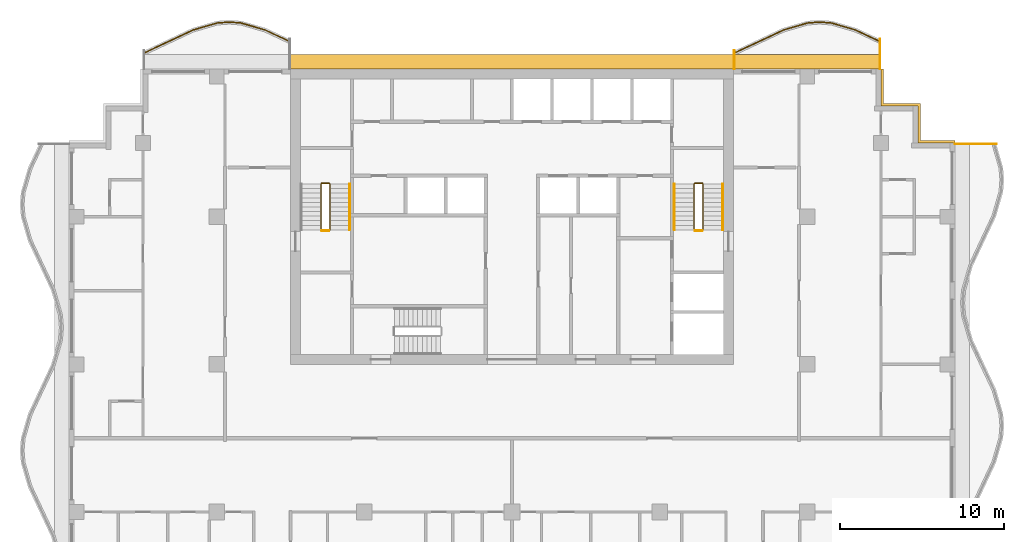
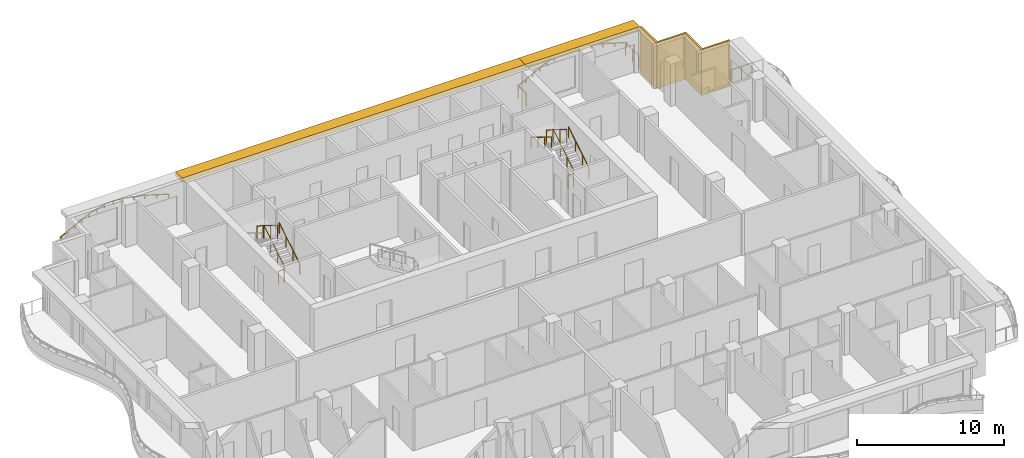
# One storey, part 11 of 11: 12 railings, 3 shading devices.
"""IFC4 building model written with IfcOpenShell, lengths in metres."""

from ifc_helpers import new_model, si_unit, direction, frame, origin, origin_2d, place, context, subcontext, project, spatial, polyline, rectangle, circle, outline, extrude, material, layer, layer_set, type_object, element, save


model = new_model("IFC4")

# Units and contexts
model_context = context("Model", 3, precision=1e-05, world=origin(), true_north=direction((0.0, 1.0)))
body_context = subcontext(model_context, "Body", "Model", "MODEL_VIEW")
ifc_project = project(units=[si_unit("LENGTHUNIT", "METRE"), si_unit("AREAUNIT", "SQUARE_METRE"), si_unit("VOLUMEUNIT", "CUBIC_METRE"), si_unit("PLANEANGLEUNIT", "RADIAN"), si_unit("MASSUNIT", "GRAM", prefix="KILO")], contexts=[model_context])

# Site, building, storey
site_placement = place(None, origin())
site = spatial("IfcSite", under=ifc_project, at=site_placement, CompositionType="ELEMENT")
building_placement = place(site_placement, origin())
building = spatial("IfcBuilding", under=site, at=building_placement, Name="Orbiselva Terraces", CompositionType="ELEMENT")
storey_placement = place(building_placement, frame((0.0, 0.0, 273.0)))
storey = spatial("IfcBuildingStorey", under=building, at=storey_placement, Name="L69", CompositionType="ELEMENT", Elevation=273.0)

# Railings
ifc_material_1 = material(Name="Stainless steel", Category="steel")
railing_type_1 = type_object("IfcRailingType", Name="CORE-GUARD-1100", PredefinedType="GUARDRAIL", material=ifc_material_1)
railing_1_placement = place(storey_placement, frame((-11.1, 12.7, 0.172727)))
element("IfcRailing", 1, at=railing_1_placement, inside=storey, type_object=railing_type_1, Name="L69 S1 stair guard 1", PredefinedType="GUARDRAIL", context=body_context, shape_type="SweptSolid", body=[
    extrude(circle(Radius=0.024, at=origin_2d()), frame((0.0, 0.0, 1.081), z_axis=(0.0, 0.851088519012, 0.52502222125), x_axis=(-1.0, 0.0, 0.0)), (0.0, 0.0, 1.0), 3.289905),
    extrude(circle(Radius=0.024, at=origin_2d()), frame((0.0, 2.8, 2.808273), z_axis=(-0.707106781187, 0.707106781187, 0.0), x_axis=(-0.707106781187, -0.707106781187, 0.0)), (0.0, 0.0, 1.0), 0.070711),
    extrude(circle(Radius=0.024, at=origin_2d()), frame((-0.05, 2.85, 2.808273), z_axis=(-1.0, 0.0, 0.0), x_axis=(0.0, -1.0, 0.0)), (0.0, 0.0, 1.0), 0.45),
    extrude(circle(Radius=0.024, at=origin_2d()), frame((-0.5, 2.85, 2.808273), z_axis=(-0.267894925557, -0.267894925557, 0.925453736133), x_axis=(0.707106781187, -0.707106781187, 0.0)), (0.0, 0.0, 1.0), 0.18664),
    extrude(circle(Radius=0.024, at=origin_2d()), frame((-0.55, 2.8, 2.981), z_axis=(0.0, -0.851088519012, 0.52502222125), x_axis=(1.0, 0.0, 0.0)), (0.0, 0.0, 1.0), 3.289905),
    extrude(circle(Radius=0.021, at=origin_2d()), origin(), (0.0, 0.0, 1.0), 1.057),
    extrude(circle(Radius=0.021, at=origin_2d()), frame((0.0, 0.933333, 0.575758)), (0.0, 0.0, 1.0), 1.057),
    extrude(circle(Radius=0.021, at=origin_2d()), frame((0.0, 1.866667, 1.151515)), (0.0, 0.0, 1.0), 1.057),
    extrude(circle(Radius=0.021, at=origin_2d()), frame((0.0, 2.8, 1.727273)), (0.0, 0.0, 1.0), 1.057),
    extrude(circle(Radius=0.021, at=origin_2d()), frame((-0.05, 2.85, 1.727273)), (0.0, 0.0, 1.0), 1.057),
    extrude(circle(Radius=0.021, at=origin_2d()), frame((-0.5, 2.85, 1.727273)), (0.0, 0.0, 1.0), 1.057),
    extrude(circle(Radius=0.021, at=origin_2d()), frame((-0.55, 2.8, 1.9)), (0.0, 0.0, 1.0), 1.057),
    extrude(circle(Radius=0.021, at=origin_2d()), frame((-0.55, 1.866667, 2.475758)), (0.0, 0.0, 1.0), 1.057),
    extrude(circle(Radius=0.021, at=origin_2d()), frame((-0.55, 0.933333, 3.051515)), (0.0, 0.0, 1.0), 1.057),
    extrude(circle(Radius=0.021, at=origin_2d()), frame((-0.55, 0.0, 3.627273)), (0.0, 0.0, 1.0), 1.057),
])
railing_2_placement = place(storey_placement, frame((-11.15, 12.65, 0.0)))
element("IfcRailing", 2, at=railing_2_placement, inside=storey, type_object=railing_type_1, Name="L69 S1 stair guard 2", PredefinedType="GUARDRAIL", context=body_context, shape_type="SweptSolid", body=[
    extrude(circle(Radius=0.024, at=origin_2d()), frame((0.0, 0.0, 1.081), z_axis=(-1.0, 0.0, 0.0), x_axis=(0.0, -1.0, 0.0)), (0.0, 0.0, 1.0), 0.45),
    extrude(circle(Radius=0.021, at=origin_2d()), origin(), (0.0, 0.0, 1.0), 1.057),
    extrude(circle(Radius=0.021, at=origin_2d()), frame((-0.45, 0.0, 0.0)), (0.0, 0.0, 1.0), 1.057),
])
railing_3_placement = place(storey_placement, frame((11.65, 12.7, 0.172727)))
element("IfcRailing", 3, at=railing_3_placement, inside=storey, type_object=railing_type_1, Name="L69 S2 stair guard 1", PredefinedType="GUARDRAIL", context=body_context, shape_type="SweptSolid", body=[
    extrude(circle(Radius=0.024, at=origin_2d()), frame((0.0, 0.0, 1.081), z_axis=(0.0, 0.851088519012, 0.52502222125), x_axis=(-1.0, 0.0, 0.0)), (0.0, 0.0, 1.0), 3.289905),
    extrude(circle(Radius=0.024, at=origin_2d()), frame((0.0, 2.8, 2.808273), z_axis=(-0.707106781187, 0.707106781187, 0.0), x_axis=(-0.707106781187, -0.707106781187, 0.0)), (0.0, 0.0, 1.0), 0.070711),
    extrude(circle(Radius=0.024, at=origin_2d()), frame((-0.05, 2.85, 2.808273), z_axis=(-1.0, 0.0, 0.0), x_axis=(0.0, -1.0, 0.0)), (0.0, 0.0, 1.0), 0.45),
    extrude(circle(Radius=0.024, at=origin_2d()), frame((-0.5, 2.85, 2.808273), z_axis=(-0.267894925557, -0.267894925557, 0.925453736133), x_axis=(0.707106781187, -0.707106781187, 0.0)), (0.0, 0.0, 1.0), 0.18664),
    extrude(circle(Radius=0.024, at=origin_2d()), frame((-0.55, 2.8, 2.981), z_axis=(0.0, -0.851088519012, 0.52502222125), x_axis=(1.0, 0.0, 0.0)), (0.0, 0.0, 1.0), 3.289905),
    extrude(circle(Radius=0.021, at=origin_2d()), origin(), (0.0, 0.0, 1.0), 1.057),
    extrude(circle(Radius=0.021, at=origin_2d()), frame((0.0, 0.933333, 0.575758)), (0.0, 0.0, 1.0), 1.057),
    extrude(circle(Radius=0.021, at=origin_2d()), frame((0.0, 1.866667, 1.151515)), (0.0, 0.0, 1.0), 1.057),
    extrude(circle(Radius=0.021, at=origin_2d()), frame((0.0, 2.8, 1.727273)), (0.0, 0.0, 1.0), 1.057),
    extrude(circle(Radius=0.021, at=origin_2d()), frame((-0.05, 2.85, 1.727273)), (0.0, 0.0, 1.0), 1.057),
    extrude(circle(Radius=0.021, at=origin_2d()), frame((-0.5, 2.85, 1.727273)), (0.0, 0.0, 1.0), 1.057),
    extrude(circle(Radius=0.021, at=origin_2d()), frame((-0.55, 2.8, 1.9)), (0.0, 0.0, 1.0), 1.057),
    extrude(circle(Radius=0.021, at=origin_2d()), frame((-0.55, 1.866667, 2.475758)), (0.0, 0.0, 1.0), 1.057),
    extrude(circle(Radius=0.021, at=origin_2d()), frame((-0.55, 0.933333, 3.051515)), (0.0, 0.0, 1.0), 1.057),
    extrude(circle(Radius=0.021, at=origin_2d()), frame((-0.55, 0.0, 3.627273)), (0.0, 0.0, 1.0), 1.057),
])
railing_4_placement = place(storey_placement, frame((11.6, 12.65, 0.0)))
element("IfcRailing", 4, at=railing_4_placement, inside=storey, type_object=railing_type_1, Name="L69 S2 stair guard 2", PredefinedType="GUARDRAIL", context=body_context, shape_type="SweptSolid", body=[
    extrude(circle(Radius=0.024, at=origin_2d()), frame((0.0, 0.0, 1.081), z_axis=(-1.0, 0.0, 0.0), x_axis=(0.0, -1.0, 0.0)), (0.0, 0.0, 1.0), 0.45),
    extrude(circle(Radius=0.021, at=origin_2d()), origin(), (0.0, 0.0, 1.0), 1.057),
    extrude(circle(Radius=0.021, at=origin_2d()), frame((-0.45, 0.0, 0.0)), (0.0, 0.0, 1.0), 1.057),
])
railing_type_2 = type_object("IfcRailingType", Name="CORE-HANDRAIL-900", PredefinedType="HANDRAIL", material=ifc_material_1)
for number, where, name in (
    (5, (-9.9, 12.7, 0.172727), "L69 S1 stair handrail 1"),
    (6, (12.85, 12.7, 0.172727), "L69 S2 stair handrail 1"),
):
    element("IfcRailing", number, at=place(storey_placement, frame(where)), inside=storey, type_object=railing_type_2, Name=name, PredefinedType="HANDRAIL", context=body_context, shape_type="SweptSolid", body=[
        extrude(circle(Radius=0.024, at=origin_2d()), frame((0.0, 0.0, 0.876), z_axis=(0.0, 0.851088519012, 0.52502222125), x_axis=(-1.0, 0.0, 0.0)), (0.0, 0.0, 1.0), 3.289905),
        extrude(circle(Radius=0.021, at=origin_2d()), origin(), (0.0, 0.0, 1.0), 0.852),
        extrude(circle(Radius=0.021, at=origin_2d()), frame((0.0, 0.933333, 0.575758)), (0.0, 0.0, 1.0), 0.852),
        extrude(circle(Radius=0.021, at=origin_2d()), frame((0.0, 1.866667, 1.151515)), (0.0, 0.0, 1.0), 0.852),
        extrude(circle(Radius=0.021, at=origin_2d()), frame((0.0, 2.8, 1.727273)), (0.0, 0.0, 1.0), 0.852),
    ])
railing_5_placement = place(storey_placement, frame((9.9, 15.5, 2.072727)))
element("IfcRailing", 7, at=railing_5_placement, inside=storey, type_object=railing_type_2, Name="L69 S2 stair handrail 2", PredefinedType="HANDRAIL", context=body_context, shape_type="SweptSolid", body=[
    extrude(circle(Radius=0.024, at=origin_2d()), frame((0.0, 0.0, 0.876), z_axis=(0.0, -0.851088519012, 0.52502222125), x_axis=(1.0, 0.0, 0.0)), (0.0, 0.0, 1.0), 3.289905),
    extrude(circle(Radius=0.021, at=origin_2d()), origin(), (0.0, 0.0, 1.0), 0.852),
    extrude(circle(Radius=0.021, at=origin_2d()), frame((0.0, -0.933333, 0.575758)), (0.0, 0.0, 1.0), 0.852),
    extrude(circle(Radius=0.021, at=origin_2d()), frame((0.0, -1.866667, 1.151515)), (0.0, 0.0, 1.0), 0.852),
    extrude(circle(Radius=0.021, at=origin_2d()), frame((0.0, -2.8, 1.727273)), (0.0, 0.0, 1.0), 0.852),
])
ifc_material_2 = material(Name="Bonded two-ply safety glass balustrade, stainless steel posts", Category="steel")
railing_type_3 = type_object("IfcRailingType", Name="ENV-BALUSTRADE-1200", PredefinedType="BALUSTRADE", material=ifc_material_2)
railing_6_placement = place(storey_placement, frame((22.446809, 24.186882, 0.9)))
element("IfcRailing", 8, at=railing_6_placement, inside=storey, type_object=railing_type_3, Name="Balcony balustrade L69 NE", PredefinedType="BALUSTRADE", context=body_context, shape_type="SweptSolid", body=[
    extrude(outline(polyline([(0.028868, 0.0), (0.014434, 0.025), (-0.014434, 0.025), (-0.028868, 0.0), (-0.014434, -0.025), (0.014434, -0.025), (0.028868, 0.0)])), frame((0.0, 0.0, 0.275), z_axis=(-0.904944359461, 0.425529912322, 0.0), x_axis=(-0.425529912322, -0.904944359461, 0.0)), (0.0, 0.0, 1.0), 1.647746),
    extrude(outline(polyline([(0.028868, 0.0), (0.014434, 0.025), (-0.014434, 0.025), (-0.028868, 0.0), (-0.014434, -0.025), (0.014434, -0.025), (0.028868, 0.0)])), frame((-1.491118, 0.701165, 0.275), z_axis=(-0.960270317007, 0.279071528957, 0.0), x_axis=(-0.279071528957, -0.960270317007, 0.0)), (0.0, 0.0, 1.0), 1.539408),
    extrude(outline(polyline([(0.028868, 0.0), (0.014434, 0.025), (-0.014434, 0.025), (-0.028868, 0.0), (-0.014434, -0.025), (0.014434, -0.025), (0.028868, 0.0)])), frame((-2.969366, 1.13077, 0.275), z_axis=(-0.996947916106, 0.078069536776, 0.0), x_axis=(-0.078069536776, -0.996947916106, 0.0)), (0.0, 0.0, 1.0), 0.72967),
    extrude(outline(polyline([(0.028868, 0.0), (0.014434, 0.025), (-0.014434, 0.025), (-0.028868, 0.0), (-0.014434, -0.025), (0.014434, -0.025), (0.028868, 0.0)])), frame((-3.696809, 1.187735, 0.275), z_axis=(-0.996947916106, -0.078069536776, 0.0), x_axis=(0.078069536776, -0.996947916106, 0.0)), (0.0, 0.0, 1.0), 0.72967),
    extrude(outline(polyline([(0.028868, 0.0), (0.014434, 0.025), (-0.014434, 0.025), (-0.028868, 0.0), (-0.014434, -0.025), (0.014434, -0.025), (0.028868, 0.0)])), frame((-4.424252, 1.13077, 0.275), z_axis=(-0.960270317007, -0.279071528957, 0.0), x_axis=(0.279071528957, -0.960270317007, 0.0)), (0.0, 0.0, 1.0), 1.539408),
    extrude(outline(polyline([(0.028868, 0.0), (0.014434, 0.025), (-0.014434, 0.025), (-0.028868, 0.0), (-0.014434, -0.025), (0.014434, -0.025), (0.028868, 0.0)])), frame((-5.9025, 0.701165, 0.275), z_axis=(-0.904944359461, -0.425529912322, 0.0), x_axis=(0.425529912322, -0.904944359461, 0.0)), (0.0, 0.0, 1.0), 1.647746),
    extrude(outline(polyline([(0.028868, 0.0), (0.014434, 0.025), (-0.014434, 0.025), (-0.028868, 0.0), (-0.014434, -0.025), (0.014434, -0.025), (0.028868, 0.0)])), frame((-7.393618, 0.0, 0.275), z_axis=(-0.904944257823, -0.425530128467, 0.0), x_axis=(0.425530128467, -0.904944257823, 0.0)), (0.0, 0.0, 1.0), 1.657561),
    extrude(rectangle(XDim=0.05, YDim=0.05, at=origin_2d()), origin(), (0.0, 0.0, 1.0), 0.25),
    extrude(rectangle(XDim=0.05, YDim=0.05, at=origin_2d()), frame((-0.745559, 0.350582, 0.0)), (0.0, 0.0, 1.0), 0.25),
    extrude(rectangle(XDim=0.05, YDim=0.05, at=origin_2d()), frame((-1.491118, 0.701165, 0.0)), (0.0, 0.0, 1.0), 0.25),
    extrude(rectangle(XDim=0.05, YDim=0.05, at=origin_2d()), frame((-2.230242, 0.915967, 0.0)), (0.0, 0.0, 1.0), 0.25),
    extrude(rectangle(XDim=0.05, YDim=0.05, at=origin_2d()), frame((-2.969366, 1.13077, 0.0)), (0.0, 0.0, 1.0), 0.25),
    extrude(rectangle(XDim=0.05, YDim=0.05, at=origin_2d()), frame((-3.696809, 1.187735, 0.0)), (0.0, 0.0, 1.0), 0.25),
    extrude(rectangle(XDim=0.05, YDim=0.05, at=origin_2d()), frame((-4.424252, 1.13077, 0.0)), (0.0, 0.0, 1.0), 0.25),
    extrude(rectangle(XDim=0.05, YDim=0.05, at=origin_2d()), frame((-5.163376, 0.915967, 0.0)), (0.0, 0.0, 1.0), 0.25),
    extrude(rectangle(XDim=0.05, YDim=0.05, at=origin_2d()), frame((-5.9025, 0.701165, 0.0)), (0.0, 0.0, 1.0), 0.25),
    extrude(rectangle(XDim=0.05, YDim=0.05, at=origin_2d()), frame((-6.648059, 0.350582, 0.0)), (0.0, 0.0, 1.0), 0.25),
    extrude(rectangle(XDim=0.05, YDim=0.05, at=origin_2d()), frame((-7.393618, 0.0, 0.0)), (0.0, 0.0, 1.0), 0.25),
    extrude(rectangle(XDim=0.05, YDim=0.05, at=origin_2d()), frame((-8.143618, -0.352671, 0.0)), (0.0, 0.0, 1.0), 0.25),
    extrude(rectangle(XDim=0.05, YDim=0.05, at=origin_2d()), frame((-8.893618, -0.705342, 0.0)), (0.0, 0.0, 1.0), 0.25),
])
railing_7_placement = place(storey_placement, frame((-13.553191, 24.186882, 0.9)))
element("IfcRailing", 9, at=railing_7_placement, inside=storey, type_object=railing_type_3, Name="Balcony balustrade L69 NW", PredefinedType="BALUSTRADE", context=body_context, shape_type="SweptSolid", body=[
    extrude(outline(polyline([(0.028868, 0.0), (0.014434, 0.025), (-0.014434, 0.025), (-0.028868, 0.0), (-0.014434, -0.025), (0.014434, -0.025), (0.028868, 0.0)])), frame((0.0, 0.0, 0.275), z_axis=(-0.904944359461, 0.425529912322, 0.0), x_axis=(-0.425529912322, -0.904944359461, 0.0)), (0.0, 0.0, 1.0), 1.647746),
    extrude(outline(polyline([(0.028868, 0.0), (0.014434, 0.025), (-0.014434, 0.025), (-0.028868, 0.0), (-0.014434, -0.025), (0.014434, -0.025), (0.028868, 0.0)])), frame((-1.491118, 0.701165, 0.275), z_axis=(-0.960270317007, 0.279071528957, 0.0), x_axis=(-0.279071528957, -0.960270317007, 0.0)), (0.0, 0.0, 1.0), 1.539408),
    extrude(outline(polyline([(0.028868, 0.0), (0.014434, 0.025), (-0.014434, 0.025), (-0.028868, 0.0), (-0.014434, -0.025), (0.014434, -0.025), (0.028868, 0.0)])), frame((-2.969366, 1.13077, 0.275), z_axis=(-0.996947916106, 0.078069536776, 0.0), x_axis=(-0.078069536776, -0.996947916106, 0.0)), (0.0, 0.0, 1.0), 0.72967),
    extrude(outline(polyline([(0.028868, 0.0), (0.014434, 0.025), (-0.014434, 0.025), (-0.028868, 0.0), (-0.014434, -0.025), (0.014434, -0.025), (0.028868, 0.0)])), frame((-3.696809, 1.187735, 0.275), z_axis=(-0.996947916106, -0.078069536776, 0.0), x_axis=(0.078069536776, -0.996947916106, 0.0)), (0.0, 0.0, 1.0), 0.72967),
    extrude(outline(polyline([(0.028868, 0.0), (0.014434, 0.025), (-0.014434, 0.025), (-0.028868, 0.0), (-0.014434, -0.025), (0.014434, -0.025), (0.028868, 0.0)])), frame((-4.424252, 1.13077, 0.275), z_axis=(-0.960270317007, -0.279071528957, 0.0), x_axis=(0.279071528957, -0.960270317007, 0.0)), (0.0, 0.0, 1.0), 1.539408),
    extrude(outline(polyline([(0.028868, 0.0), (0.014434, 0.025), (-0.014434, 0.025), (-0.028868, 0.0), (-0.014434, -0.025), (0.014434, -0.025), (0.028868, 0.0)])), frame((-5.9025, 0.701165, 0.275), z_axis=(-0.904944359461, -0.425529912322, 0.0), x_axis=(0.425529912322, -0.904944359461, 0.0)), (0.0, 0.0, 1.0), 1.647746),
    extrude(outline(polyline([(0.028868, 0.0), (0.014434, 0.025), (-0.014434, 0.025), (-0.028868, 0.0), (-0.014434, -0.025), (0.014434, -0.025), (0.028868, 0.0)])), frame((-7.393618, 0.0, 0.275), z_axis=(-0.904944257823, -0.425530128467, 0.0), x_axis=(0.425530128467, -0.904944257823, 0.0)), (0.0, 0.0, 1.0), 1.657561),
    extrude(rectangle(XDim=0.05, YDim=0.05, at=origin_2d()), origin(), (0.0, 0.0, 1.0), 0.25),
    extrude(rectangle(XDim=0.05, YDim=0.05, at=origin_2d()), frame((-0.745559, 0.350582, 0.0)), (0.0, 0.0, 1.0), 0.25),
    extrude(rectangle(XDim=0.05, YDim=0.05, at=origin_2d()), frame((-1.491118, 0.701165, 0.0)), (0.0, 0.0, 1.0), 0.25),
    extrude(rectangle(XDim=0.05, YDim=0.05, at=origin_2d()), frame((-2.230242, 0.915967, 0.0)), (0.0, 0.0, 1.0), 0.25),
    extrude(rectangle(XDim=0.05, YDim=0.05, at=origin_2d()), frame((-2.969366, 1.13077, 0.0)), (0.0, 0.0, 1.0), 0.25),
    extrude(rectangle(XDim=0.05, YDim=0.05, at=origin_2d()), frame((-3.696809, 1.187735, 0.0)), (0.0, 0.0, 1.0), 0.25),
    extrude(rectangle(XDim=0.05, YDim=0.05, at=origin_2d()), frame((-4.424252, 1.13077, 0.0)), (0.0, 0.0, 1.0), 0.25),
    extrude(rectangle(XDim=0.05, YDim=0.05, at=origin_2d()), frame((-5.163376, 0.915967, 0.0)), (0.0, 0.0, 1.0), 0.25),
    extrude(rectangle(XDim=0.05, YDim=0.05, at=origin_2d()), frame((-5.9025, 0.701165, 0.0)), (0.0, 0.0, 1.0), 0.25),
    extrude(rectangle(XDim=0.05, YDim=0.05, at=origin_2d()), frame((-6.648059, 0.350582, 0.0)), (0.0, 0.0, 1.0), 0.25),
    extrude(rectangle(XDim=0.05, YDim=0.05, at=origin_2d()), frame((-7.393618, 0.0, 0.0)), (0.0, 0.0, 1.0), 0.25),
    extrude(rectangle(XDim=0.05, YDim=0.05, at=origin_2d()), frame((-8.143618, -0.352671, 0.0)), (0.0, 0.0, 1.0), 0.25),
    extrude(rectangle(XDim=0.05, YDim=0.05, at=origin_2d()), frame((-8.893618, -0.705342, 0.0)), (0.0, 0.0, 1.0), 0.25),
])
ifc_material_3 = material(Name="Stainless steel rail and posts", Category="steel")
railing_type_4 = type_object("IfcRailingType", Name="ENV-GUARD-1105", PredefinedType="BALUSTRADE", material=ifc_material_3)
railing_8_placement = place(storey_placement, frame((29.529516, 17.94, 0.0)))
element("IfcRailing", 10, at=railing_8_placement, inside=storey, type_object=railing_type_4, Name="Balcony end guard L69 E", PredefinedType="BALUSTRADE", context=body_context, shape_type="SweptSolid", body=[
    extrude(outline(polyline([(0.028868, 0.0), (0.014434, 0.025), (-0.014434, 0.025), (-0.028868, 0.0), (-0.014434, -0.025), (0.014434, -0.025), (0.028868, 0.0)])), frame((0.0, 0.0, 1.08), z_axis=(-1.0, 0.0, 0.0), x_axis=(0.0, -1.0, 0.0)), (0.0, 0.0, 1.0), 2.504516),
    extrude(rectangle(XDim=0.05, YDim=0.05, at=origin_2d()), origin(), (0.0, 0.0, 1.0), 1.055),
    extrude(rectangle(XDim=0.05, YDim=0.05, at=origin_2d()), frame((-0.834839, 0.0, 0.0)), (0.0, 0.0, 1.0), 1.055),
    extrude(rectangle(XDim=0.05, YDim=0.05, at=origin_2d()), frame((-1.669677, 0.0, 0.0)), (0.0, 0.0, 1.0), 1.055),
    extrude(rectangle(XDim=0.05, YDim=0.05, at=origin_2d()), frame((-2.504516, 0.0, 0.0)), (0.0, 0.0, 1.0), 1.055),
])
railing_9_placement = place(storey_placement, frame((22.44, 24.330156, 0.0)))
element("IfcRailing", 11, at=railing_9_placement, inside=storey, type_object=railing_type_4, Name="Balcony end guard L69 NE", PredefinedType="BALUSTRADE", context=body_context, shape_type="SweptSolid", body=[
    extrude(outline(polyline([(0.028868, 0.0), (0.014434, 0.025), (-0.014434, 0.025), (-0.028868, 0.0), (-0.014434, -0.025), (0.014434, -0.025), (0.028868, 0.0)])), frame((0.0, 0.0, 1.08), z_axis=(0.0, -1.0, 0.0), x_axis=(1.0, 0.0, 0.0)), (0.0, 0.0, 1.0), 1.805156),
    extrude(rectangle(XDim=0.05, YDim=0.05, at=origin_2d()), origin(), (0.0, 0.0, 1.0), 1.055),
    extrude(rectangle(XDim=0.05, YDim=0.05, at=origin_2d()), frame((0.0, -0.902578, 0.0)), (0.0, 0.0, 1.0), 1.055),
    extrude(rectangle(XDim=0.05, YDim=0.05, at=origin_2d()), frame((0.0, -1.805156, 0.0)), (0.0, 0.0, 1.0), 1.055),
])
railing_10_placement = place(storey_placement, frame((13.56, 23.619277, 0.0)))
element("IfcRailing", 12, at=railing_10_placement, inside=storey, type_object=railing_type_4, Name="Balcony end guard L69 NE", PredefinedType="BALUSTRADE", context=body_context, shape_type="SweptSolid", body=[
    extrude(outline(polyline([(0.028868, 0.0), (0.014434, 0.025), (-0.014434, 0.025), (-0.028868, 0.0), (-0.014434, -0.025), (0.014434, -0.025), (0.028868, 0.0)])), frame((0.0, 0.0, 1.08), z_axis=(0.0, -1.0, 0.0), x_axis=(1.0, 0.0, 0.0)), (0.0, 0.0, 1.0), 1.094277),
    extrude(rectangle(XDim=0.05, YDim=0.05, at=origin_2d()), origin(), (0.0, 0.0, 1.0), 1.055),
    extrude(rectangle(XDim=0.05, YDim=0.05, at=origin_2d()), frame((0.0, -1.094277, 0.0)), (0.0, 0.0, 1.0), 1.055),
])

# Shading devices
ifc_material_4 = material(Name="Terracotta louvre screen", Category="masonry")
ifc_layer_1 = layer(ifc_material_4, 0.15)
ifc_layer_set_1 = layer_set([ifc_layer_1], Name="Terracotta louvre screen")
shading_device_type_1 = type_object("IfcShadingDeviceType", Name="ENV-SCREEN-150", PredefinedType="USERDEFINED", material=ifc_layer_set_1)
shading_device_1_placement = place(storey_placement, frame((0.0, 0.0, -0.3)))
element("IfcShadingDevice", 13, at=shading_device_1_placement, inside=storey, type_object=shading_device_type_1, Name="Louvre screen L69 NE", ObjectType="SCREEN", PredefinedType="USERDEFINED", context=body_context, shape_type="SweptSolid", body=[
    extrude(outline(polyline([(27.0, 18.15), (24.9, 18.15), (24.9, 20.4), (22.65, 20.4), (22.65, 22.5), (22.5, 22.5), (22.5, 20.25), (24.75, 20.25), (24.75, 18.0), (27.0, 18.0), (27.0, 18.15)])), origin(), (0.0, 0.0, 1.0), 3.8),
])
ifc_material_5 = material(Name="Terracotta baguette sunshade", Category="masonry")
ifc_layer_2 = layer(ifc_material_5, 0.35)
ifc_layer_set_2 = layer_set([ifc_layer_2], Name="Terracotta baguette sunshade")
shading_device_type_2 = type_object("IfcShadingDeviceType", Name="ENV-SUNSHADE-900x350", PredefinedType="USERDEFINED", material=ifc_layer_set_2)
shading_device_2_placement = place(storey_placement, frame((0.0, 0.0, 3.15)))
element("IfcShadingDevice", 14, at=shading_device_2_placement, inside=storey, type_object=shading_device_type_2, Name="Sunshade band L69 NE", ObjectType="SUNSHADE", PredefinedType="USERDEFINED", context=body_context, shape_type="SweptSolid", body=[
    extrude(outline(polyline([(22.5, 23.4), (13.5, 23.4), (13.5, 22.5), (22.5, 22.5), (22.5, 23.4)])), origin(), (0.0, 0.0, 1.0), 0.35),
])
shading_device_3_placement = place(storey_placement, frame((0.0, 0.0, 3.15)))
element("IfcShadingDevice", 15, at=shading_device_3_placement, inside=storey, type_object=shading_device_type_2, Name="Sunshade band L69 CORE NORTH", ObjectType="SUNSHADE", PredefinedType="USERDEFINED", context=body_context, shape_type="SweptSolid", body=[
    extrude(outline(polyline([(13.5, 23.4), (-13.5, 23.4), (-13.5, 22.5), (13.5, 22.5), (13.5, 23.4)])), origin(), (0.0, 0.0, 1.0), 0.35),
])

save(model, "model.ifc")
